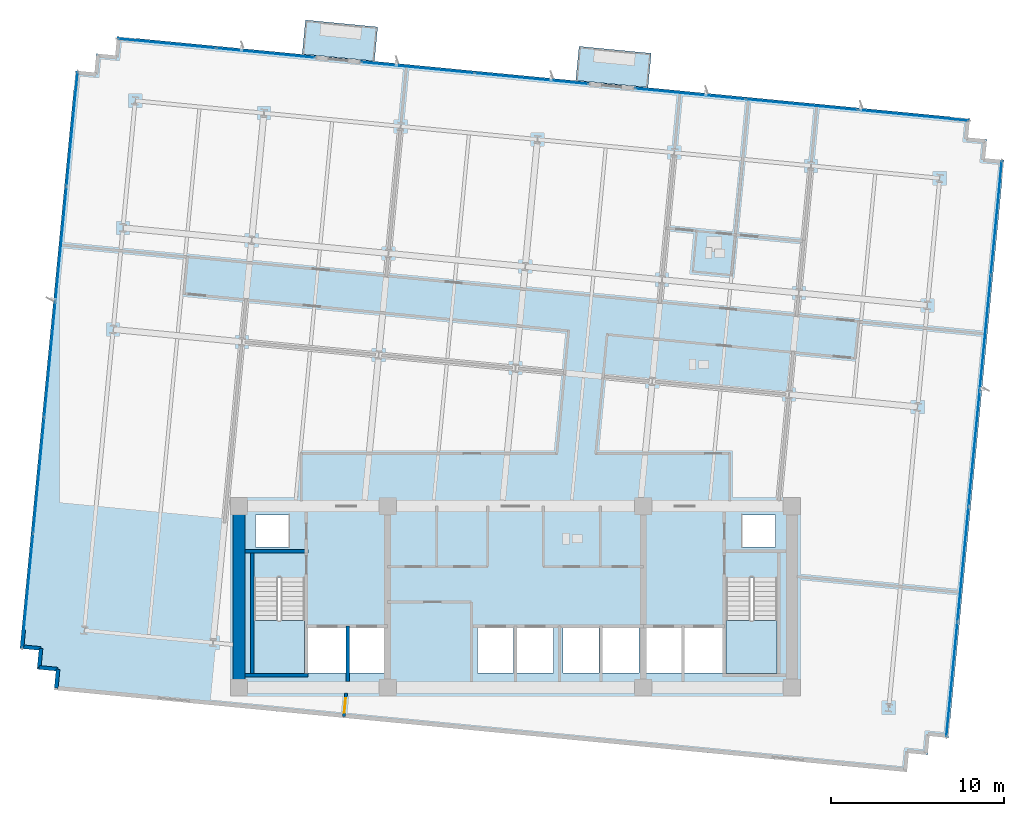
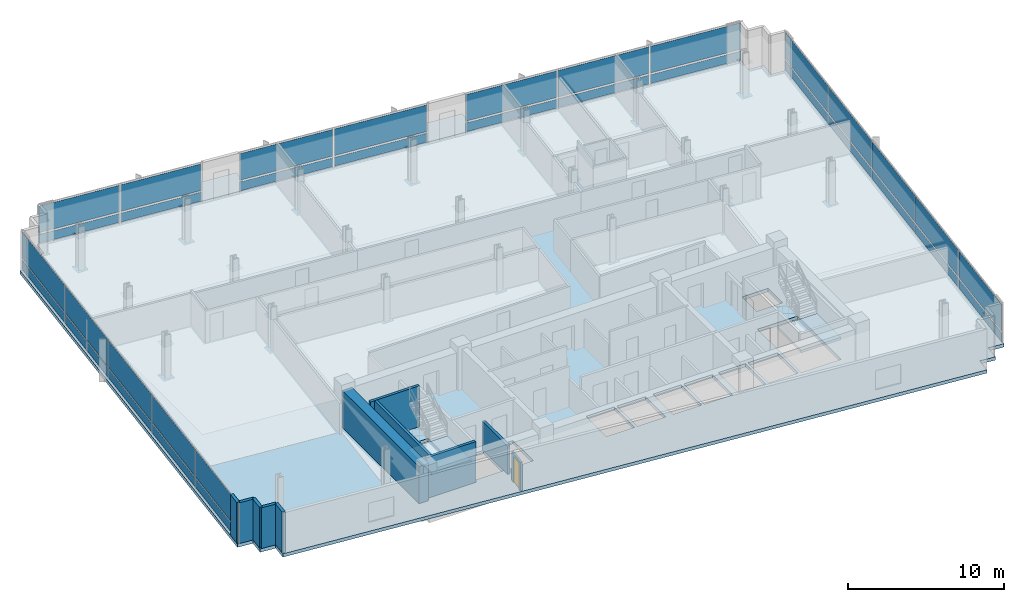
# One storey, part 9 of 16: 34 plates, 11 walls, 5 slabs, 1 door, 1 opening, 7 elements without a shape of their own.
"""IFC4 building model written with IfcOpenShell, lengths in metres."""

from ifc_helpers import new_model, si_unit, direction, frame, frame_2d, origin, origin_2d, place, context, subcontext, project, spatial, polyline, rectangle, outline, extrude, material, layer, layer_set, type_object, element, fill, aggregate, save


model = new_model("IFC4")

# Units and contexts
model_context = context("Model", 3, precision=1e-05, world=origin(), true_north=direction((0.0, 1.0)))
body_context = subcontext(model_context, "Body", "Model", "MODEL_VIEW")
ifc_project = project(units=[si_unit("LENGTHUNIT", "METRE"), si_unit("AREAUNIT", "SQUARE_METRE"), si_unit("VOLUMEUNIT", "CUBIC_METRE"), si_unit("PLANEANGLEUNIT", "RADIAN"), si_unit("MASSUNIT", "GRAM", prefix="KILO")], contexts=[model_context])

# Site, building, storey
site_placement = place(None, origin())
site = spatial("IfcSite", under=ifc_project, at=site_placement, CompositionType="ELEMENT")
building_placement = place(site_placement, origin())
building = spatial("IfcBuilding", under=site, at=building_placement, Name="Solmavex Isthmus Hotel", CompositionType="ELEMENT")
storey_placement = place(building_placement, frame((0.0, 0.0, 166.949951171875)))
storey = spatial("IfcBuildingStorey", under=building, at=storey_placement, Name="L45", CompositionType="ELEMENT", Elevation=166.949951171875)

# Curtain wall, plates
ifc_material_1 = material(Name="Aluminium alloy 6063-T6", Category="aluminium")
curtain_wall_type = type_object("IfcCurtainWallType", Name="CW-SYS-03", PredefinedType="NOTDEFINED", material=ifc_material_1)
curtain_wall_1_placement = place(storey_placement, origin())
curtain_wall_1 = element("IfcCurtainWall", 1, at=curtain_wall_1_placement, inside=storey, type_object=curtain_wall_type, Name="Stick Curtain Wall CWL-L45-N1", PredefinedType="NOTDEFINED")
ifc_material_2 = material(Name="Clear low-E laminated glass", Category="glass")
ifc_layer_1 = layer(ifc_material_2, 0.030029296875)
ifc_layer_set_1 = layer_set([ifc_layer_1], Name="Clear low-E laminated glass")
plate_type = type_object("IfcPlateType", Name="CW-SYS-03-PNL", PredefinedType="CURTAIN_PANEL", material=ifc_layer_set_1)
plate_1_placement = place(storey_placement, frame((-20.1806640625, 24.291259765625, 0.14013671875), z_axis=(0.0, 0.0, 1.0), x_axis=(0.995396220659, -0.095845521008, 0.0)))
plate_1 = element("IfcPlate", 2, at=plate_1_placement, type_object=plate_type, Name="CW-03 panel 1.1", PredefinedType="CURTAIN_PANEL", context=body_context, shape_type="SweptSolid", body=[
    extrude(rectangle(XDim=5.677978515625, YDim=0.030029296875, at=origin_2d()), origin(), (0.0, 0.0, 1.0), 0.68994140625),
])
plate_2_placement = place(storey_placement, frame((-20.1806640625, 24.291259765625, 0.969970703125), z_axis=(0.0, 0.0, 1.0), x_axis=(0.995396220659, -0.095845521008, 0.0)))
plate_2 = element("IfcPlate", 3, at=plate_2_placement, type_object=plate_type, Name="CW-03 panel 1.2", PredefinedType="CURTAIN_PANEL", context=body_context, shape_type="SweptSolid", body=[
    extrude(rectangle(XDim=5.677978515625, YDim=0.030029296875, at=origin_2d()), origin(), (0.0, 0.0, 1.0), 2.080078125),
])
plate_3_placement = place(storey_placement, frame((-14.459228515625, 23.740234375, 0.14013671875), z_axis=(0.0, 0.0, 1.0), x_axis=(0.995396220659, -0.095845521008, 0.0)))
plate_3 = element("IfcPlate", 4, at=plate_3_placement, type_object=plate_type, Name="CW-03 panel 2.1", PredefinedType="CURTAIN_PANEL", context=body_context, shape_type="SweptSolid", body=[
    extrude(rectangle(XDim=5.677978515625, YDim=0.030029296875, at=origin_2d()), origin(), (0.0, 0.0, 1.0), 0.68994140625),
])
plate_4_placement = place(storey_placement, frame((-14.459228515625, 23.740234375, 0.969970703125), z_axis=(0.0, 0.0, 1.0), x_axis=(0.995396220659, -0.095845521008, 0.0)))
plate_4 = element("IfcPlate", 5, at=plate_4_placement, type_object=plate_type, Name="CW-03 panel 2.2", PredefinedType="CURTAIN_PANEL", context=body_context, shape_type="SweptSolid", body=[
    extrude(rectangle(XDim=5.677978515625, YDim=0.030029296875, at=origin_2d()), origin(), (0.0, 0.0, 1.0), 2.080078125),
])
aggregate(curtain_wall_1, [plate_1, plate_2, plate_3, plate_4])

curtain_wall_2_placement = place(storey_placement, origin())
curtain_wall_2 = element("IfcCurtainWall", 6, at=curtain_wall_2_placement, inside=storey, type_object=curtain_wall_type, Name="Stick Curtain Wall CWL-L45-N2", PredefinedType="NOTDEFINED")
plate_5_placement = place(storey_placement, frame((-5.645263671875, 22.8916015625, 0.14013671875), z_axis=(0.0, 0.0, 1.0), x_axis=(0.995396257521, -0.095845138178, 0.0)))
plate_5 = element("IfcPlate", 7, at=plate_5_placement, type_object=plate_type, Name="CW-03 panel 1.1", PredefinedType="CURTAIN_PANEL", context=body_context, shape_type="SweptSolid", body=[
    extrude(rectangle(XDim=6.551025390625, YDim=0.030029296875, at=origin_2d()), origin(), (0.0, 0.0, 1.0), 0.68994140625),
])
plate_6_placement = place(storey_placement, frame((-5.645263671875, 22.8916015625, 0.969970703125), z_axis=(0.0, 0.0, 1.0), x_axis=(0.995396257521, -0.095845138178, 0.0)))
plate_6 = element("IfcPlate", 8, at=plate_6_placement, type_object=plate_type, Name="CW-03 panel 1.2", PredefinedType="CURTAIN_PANEL", context=body_context, shape_type="SweptSolid", body=[
    extrude(rectangle(XDim=6.551025390625, YDim=0.030029296875, at=origin_2d()), origin(), (0.0, 0.0, 1.0), 2.080078125),
])
plate_7_placement = place(storey_placement, frame((0.945068359375, 22.257080078125, 0.14013671875), z_axis=(0.0, 0.0, 1.0), x_axis=(0.995396257521, -0.095845138178, 0.0)))
plate_7 = element("IfcPlate", 9, at=plate_7_placement, type_object=plate_type, Name="CW-03 panel 2.1", PredefinedType="CURTAIN_PANEL", context=body_context, shape_type="SweptSolid", body=[
    extrude(rectangle(XDim=6.551025390625, YDim=0.030029296875, at=origin_2d()), origin(), (0.0, 0.0, 1.0), 0.68994140625),
])
plate_8_placement = place(storey_placement, frame((0.945068359375, 22.257080078125, 0.969970703125), z_axis=(0.0, 0.0, 1.0), x_axis=(0.995396257521, -0.095845138178, 0.0)))
plate_8 = element("IfcPlate", 10, at=plate_8_placement, type_object=plate_type, Name="CW-03 panel 2.2", PredefinedType="CURTAIN_PANEL", context=body_context, shape_type="SweptSolid", body=[
    extrude(rectangle(XDim=6.551025390625, YDim=0.030029296875, at=origin_2d()), origin(), (0.0, 0.0, 1.0), 2.080078125),
])
aggregate(curtain_wall_2, [plate_5, plate_6, plate_7, plate_8])

curtain_wall_3_placement = place(storey_placement, origin())
curtain_wall_3 = element("IfcCurtainWall", 11, at=curtain_wall_3_placement, inside=storey, type_object=curtain_wall_type, Name="Stick Curtain Wall CWL-L45-N3", PredefinedType="NOTDEFINED")
plate_9_placement = place(storey_placement, frame((10.119384765625, 21.373779296875, 0.14013671875), z_axis=(0.0, 0.0, 1.0), x_axis=(0.995396200025, -0.095845735304, 0.0)))
plate_9 = element("IfcPlate", 12, at=plate_9_placement, type_object=plate_type, Name="CW-03 panel 1.1", PredefinedType="CURTAIN_PANEL", context=body_context, shape_type="SweptSolid", body=[
    extrude(rectangle(XDim=6.40234375, YDim=0.030029296875, at=origin_2d()), origin(), (0.0, 0.0, 1.0), 0.68994140625),
])
plate_10_placement = place(storey_placement, frame((10.119384765625, 21.373779296875, 0.969970703125), z_axis=(0.0, 0.0, 1.0), x_axis=(0.995396200025, -0.095845735304, 0.0)))
plate_10 = element("IfcPlate", 13, at=plate_10_placement, type_object=plate_type, Name="CW-03 panel 1.2", PredefinedType="CURTAIN_PANEL", context=body_context, shape_type="SweptSolid", body=[
    extrude(rectangle(XDim=6.40234375, YDim=0.030029296875, at=origin_2d()), origin(), (0.0, 0.0, 1.0), 2.080078125),
])
plate_11_placement = place(storey_placement, frame((16.579345703125, 20.751708984375, 0.14013671875), z_axis=(0.0, 0.0, 1.0), x_axis=(0.995396200025, -0.095845735304, 0.0)))
plate_11 = element("IfcPlate", 14, at=plate_11_placement, type_object=plate_type, Name="CW-03 panel 2.1", PredefinedType="CURTAIN_PANEL", context=body_context, shape_type="SweptSolid", body=[
    extrude(rectangle(XDim=6.437255859375, YDim=0.030029296875, at=origin_2d()), origin(), (0.0, 0.0, 1.0), 0.68994140625),
])
plate_12_placement = place(storey_placement, frame((16.579345703125, 20.751708984375, 0.969970703125), z_axis=(0.0, 0.0, 1.0), x_axis=(0.995396200025, -0.095845735304, 0.0)))
plate_12 = element("IfcPlate", 15, at=plate_12_placement, type_object=plate_type, Name="CW-03 panel 2.2", PredefinedType="CURTAIN_PANEL", context=body_context, shape_type="SweptSolid", body=[
    extrude(rectangle(XDim=6.437255859375, YDim=0.030029296875, at=origin_2d()), origin(), (0.0, 0.0, 1.0), 2.080078125),
])
plate_13_placement = place(storey_placement, frame((23.039306640625, 20.129638671875, 0.14013671875), z_axis=(0.0, 0.0, 1.0), x_axis=(0.995396200025, -0.095845735304, 0.0)))
plate_13 = element("IfcPlate", 16, at=plate_13_placement, type_object=plate_type, Name="CW-03 panel 3.1", PredefinedType="CURTAIN_PANEL", context=body_context, shape_type="SweptSolid", body=[
    extrude(rectangle(XDim=6.40234375, YDim=0.030029296875, at=origin_2d()), origin(), (0.0, 0.0, 1.0), 0.68994140625),
])
plate_14_placement = place(storey_placement, frame((23.039306640625, 20.129638671875, 0.969970703125), z_axis=(0.0, 0.0, 1.0), x_axis=(0.995396200025, -0.095845735304, 0.0)))
plate_14 = element("IfcPlate", 17, at=plate_14_placement, type_object=plate_type, Name="CW-03 panel 3.2", PredefinedType="CURTAIN_PANEL", context=body_context, shape_type="SweptSolid", body=[
    extrude(rectangle(XDim=6.40234375, YDim=0.030029296875, at=origin_2d()), origin(), (0.0, 0.0, 1.0), 2.080078125),
])
aggregate(curtain_wall_3, [plate_9, plate_10, plate_11, plate_12, plate_13, plate_14])

curtain_wall_4_placement = place(storey_placement, origin())
curtain_wall_4 = element("IfcCurtainWall", 18, at=curtain_wall_4_placement, inside=storey, type_object=curtain_wall_type, Name="Stick Curtain Wall CWL-L45-W1", PredefinedType="NOTDEFINED")
plate_15_placement = place(storey_placement, frame((-28.24267578125, -7.38427734375, 0.14013671875), z_axis=(0.0, 0.0, 1.0), x_axis=(0.09584583902, 0.995396190038, 0.0)))
plate_15 = element("IfcPlate", 19, at=plate_15_placement, type_object=plate_type, Name="CW-03 panel 1.1", PredefinedType="CURTAIN_PANEL", context=body_context, shape_type="SweptSolid", body=[
    extrude(rectangle(XDim=6.614990234375, YDim=0.030029296875, at=origin_2d()), origin(), (0.0, 0.0, 1.0), 0.68994140625),
])
plate_16_placement = place(storey_placement, frame((-28.24267578125, -7.38427734375, 0.969970703125), z_axis=(0.0, 0.0, 1.0), x_axis=(0.09584583902, 0.995396190038, 0.0)))
plate_16 = element("IfcPlate", 20, at=plate_16_placement, type_object=plate_type, Name="CW-03 panel 1.2", PredefinedType="CURTAIN_PANEL", context=body_context, shape_type="SweptSolid", body=[
    extrude(rectangle(XDim=6.614990234375, YDim=0.030029296875, at=origin_2d()), origin(), (0.0, 0.0, 1.0), 2.080078125),
])
plate_17_placement = place(storey_placement, frame((-27.600341796875, -0.712646484375, 0.14013671875), z_axis=(0.0, 0.0, 1.0), x_axis=(0.09584583902, 0.995396190038, 0.0)))
plate_17 = element("IfcPlate", 21, at=plate_17_placement, type_object=plate_type, Name="CW-03 panel 2.1", PredefinedType="CURTAIN_PANEL", context=body_context, shape_type="SweptSolid", body=[
    extrude(rectangle(XDim=6.64990234375, YDim=0.030029296875, at=origin_2d()), origin(), (0.0, 0.0, 1.0), 0.68994140625),
])
plate_18_placement = place(storey_placement, frame((-27.600341796875, -0.712646484375, 0.969970703125), z_axis=(0.0, 0.0, 1.0), x_axis=(0.09584583902, 0.995396190038, 0.0)))
plate_18 = element("IfcPlate", 22, at=plate_18_placement, type_object=plate_type, Name="CW-03 panel 2.2", PredefinedType="CURTAIN_PANEL", context=body_context, shape_type="SweptSolid", body=[
    extrude(rectangle(XDim=6.64990234375, YDim=0.030029296875, at=origin_2d()), origin(), (0.0, 0.0, 1.0), 2.080078125),
])
plate_19_placement = place(storey_placement, frame((-26.956298828125, 5.976318359375, 0.14013671875), z_axis=(0.0, 0.0, 1.0), x_axis=(0.09584583902, 0.995396190038, 0.0)))
plate_19 = element("IfcPlate", 23, at=plate_19_placement, type_object=plate_type, Name="CW-03 panel 3.1", PredefinedType="CURTAIN_PANEL", context=body_context, shape_type="SweptSolid", body=[
    extrude(rectangle(XDim=6.64990234375, YDim=0.030029296875, at=origin_2d()), origin(), (0.0, 0.0, 1.0), 0.68994140625),
])
plate_20_placement = place(storey_placement, frame((-26.956298828125, 5.976318359375, 0.969970703125), z_axis=(0.0, 0.0, 1.0), x_axis=(0.09584583902, 0.995396190038, 0.0)))
plate_20 = element("IfcPlate", 24, at=plate_20_placement, type_object=plate_type, Name="CW-03 panel 3.2", PredefinedType="CURTAIN_PANEL", context=body_context, shape_type="SweptSolid", body=[
    extrude(rectangle(XDim=6.64990234375, YDim=0.030029296875, at=origin_2d()), origin(), (0.0, 0.0, 1.0), 2.080078125),
])
plate_21_placement = place(storey_placement, frame((-26.312255859375, 12.665283203125, 0.14013671875), z_axis=(0.0, 0.0, 1.0), x_axis=(0.09584583902, 0.995396190038, 0.0)))
plate_21 = element("IfcPlate", 25, at=plate_21_placement, type_object=plate_type, Name="CW-03 panel 4.1", PredefinedType="CURTAIN_PANEL", context=body_context, shape_type="SweptSolid", body=[
    extrude(rectangle(XDim=6.64990234375, YDim=0.030029296875, at=origin_2d()), origin(), (0.0, 0.0, 1.0), 0.68994140625),
])
plate_22_placement = place(storey_placement, frame((-26.312255859375, 12.665283203125, 0.969970703125), z_axis=(0.0, 0.0, 1.0), x_axis=(0.09584583902, 0.995396190038, 0.0)))
plate_22 = element("IfcPlate", 26, at=plate_22_placement, type_object=plate_type, Name="CW-03 panel 4.2", PredefinedType="CURTAIN_PANEL", context=body_context, shape_type="SweptSolid", body=[
    extrude(rectangle(XDim=6.64990234375, YDim=0.030029296875, at=origin_2d()), origin(), (0.0, 0.0, 1.0), 2.080078125),
])
plate_23_placement = place(storey_placement, frame((-25.669677734375, 19.337158203125, 0.14013671875), z_axis=(0.0, 0.0, 1.0), x_axis=(0.09584583902, 0.995396190038, 0.0)))
plate_23 = element("IfcPlate", 27, at=plate_23_placement, type_object=plate_type, Name="CW-03 panel 5.1", PredefinedType="CURTAIN_PANEL", context=body_context, shape_type="SweptSolid", body=[
    extrude(rectangle(XDim=6.614990234375, YDim=0.030029296875, at=origin_2d()), origin(), (0.0, 0.0, 1.0), 0.68994140625),
])
plate_24_placement = place(storey_placement, frame((-25.669677734375, 19.337158203125, 0.969970703125), z_axis=(0.0, 0.0, 1.0), x_axis=(0.09584583902, 0.995396190038, 0.0)))
plate_24 = element("IfcPlate", 28, at=plate_24_placement, type_object=plate_type, Name="CW-03 panel 5.2", PredefinedType="CURTAIN_PANEL", context=body_context, shape_type="SweptSolid", body=[
    extrude(rectangle(XDim=6.614990234375, YDim=0.030029296875, at=origin_2d()), origin(), (0.0, 0.0, 1.0), 2.080078125),
])
aggregate(curtain_wall_4, [plate_15, plate_16, plate_17, plate_18, plate_19, plate_20, plate_21, plate_22, plate_23, plate_24])

curtain_wall_5_placement = place(storey_placement, origin())
curtain_wall_5 = element("IfcCurtainWall", 29, at=curtain_wall_5_placement, inside=storey, type_object=curtain_wall_type, Name="Stick Curtain Wall CWL-L45-E1", PredefinedType="NOTDEFINED")
plate_25_placement = place(storey_placement, frame((25.269775390625, -12.537109375, 0.14013671875), z_axis=(0.0, 0.0, 1.0), x_axis=(0.09584583902, 0.995396190038, 0.0)))
plate_25 = element("IfcPlate", 30, at=plate_25_placement, type_object=plate_type, Name="CW-03 panel 1.1", PredefinedType="CURTAIN_PANEL", context=body_context, shape_type="SweptSolid", body=[
    extrude(rectangle(XDim=6.614990234375, YDim=0.030029296875, at=origin_2d()), origin(), (0.0, 0.0, 1.0), 0.68994140625),
])
plate_26_placement = place(storey_placement, frame((25.269775390625, -12.537109375, 0.969970703125), z_axis=(0.0, 0.0, 1.0), x_axis=(0.09584583902, 0.995396190038, 0.0)))
plate_26 = element("IfcPlate", 31, at=plate_26_placement, type_object=plate_type, Name="CW-03 panel 1.2", PredefinedType="CURTAIN_PANEL", context=body_context, shape_type="SweptSolid", body=[
    extrude(rectangle(XDim=6.614990234375, YDim=0.030029296875, at=origin_2d()), origin(), (0.0, 0.0, 1.0), 2.080078125),
])
plate_27_placement = place(storey_placement, frame((25.912109375, -5.865478515625, 0.14013671875), z_axis=(0.0, 0.0, 1.0), x_axis=(0.09584583902, 0.995396190038, 0.0)))
plate_27 = element("IfcPlate", 32, at=plate_27_placement, type_object=plate_type, Name="CW-03 panel 2.1", PredefinedType="CURTAIN_PANEL", context=body_context, shape_type="SweptSolid", body=[
    extrude(rectangle(XDim=6.64990234375, YDim=0.030029296875, at=origin_2d()), origin(), (0.0, 0.0, 1.0), 0.68994140625),
])
plate_28_placement = place(storey_placement, frame((25.912109375, -5.865478515625, 0.969970703125), z_axis=(0.0, 0.0, 1.0), x_axis=(0.09584583902, 0.995396190038, 0.0)))
plate_28 = element("IfcPlate", 33, at=plate_28_placement, type_object=plate_type, Name="CW-03 panel 2.2", PredefinedType="CURTAIN_PANEL", context=body_context, shape_type="SweptSolid", body=[
    extrude(rectangle(XDim=6.64990234375, YDim=0.030029296875, at=origin_2d()), origin(), (0.0, 0.0, 1.0), 2.080078125),
])
plate_29_placement = place(storey_placement, frame((26.55615234375, 0.82373046875, 0.14013671875), z_axis=(0.0, 0.0, 1.0), x_axis=(0.09584583902, 0.995396190038, 0.0)))
plate_29 = element("IfcPlate", 34, at=plate_29_placement, type_object=plate_type, Name="CW-03 panel 3.1", PredefinedType="CURTAIN_PANEL", context=body_context, shape_type="SweptSolid", body=[
    extrude(rectangle(XDim=6.64990234375, YDim=0.030029296875, at=origin_2d()), origin(), (0.0, 0.0, 1.0), 0.68994140625),
])
plate_30_placement = place(storey_placement, frame((26.55615234375, 0.82373046875, 0.969970703125), z_axis=(0.0, 0.0, 1.0), x_axis=(0.09584583902, 0.995396190038, 0.0)))
plate_30 = element("IfcPlate", 35, at=plate_30_placement, type_object=plate_type, Name="CW-03 panel 3.2", PredefinedType="CURTAIN_PANEL", context=body_context, shape_type="SweptSolid", body=[
    extrude(rectangle(XDim=6.64990234375, YDim=0.030029296875, at=origin_2d()), origin(), (0.0, 0.0, 1.0), 2.080078125),
])
plate_31_placement = place(storey_placement, frame((27.200439453125, 7.5126953125, 0.14013671875), z_axis=(0.0, 0.0, 1.0), x_axis=(0.09584583902, 0.995396190038, 0.0)))
plate_31 = element("IfcPlate", 36, at=plate_31_placement, type_object=plate_type, Name="CW-03 panel 4.1", PredefinedType="CURTAIN_PANEL", context=body_context, shape_type="SweptSolid", body=[
    extrude(rectangle(XDim=6.64990234375, YDim=0.030029296875, at=origin_2d()), origin(), (0.0, 0.0, 1.0), 0.68994140625),
])
plate_32_placement = place(storey_placement, frame((27.200439453125, 7.5126953125, 0.969970703125), z_axis=(0.0, 0.0, 1.0), x_axis=(0.09584583902, 0.995396190038, 0.0)))
plate_32 = element("IfcPlate", 37, at=plate_32_placement, type_object=plate_type, Name="CW-03 panel 4.2", PredefinedType="CURTAIN_PANEL", context=body_context, shape_type="SweptSolid", body=[
    extrude(rectangle(XDim=6.64990234375, YDim=0.030029296875, at=origin_2d()), origin(), (0.0, 0.0, 1.0), 2.080078125),
])
plate_33_placement = place(storey_placement, frame((27.8427734375, 14.184326171875, 0.14013671875), z_axis=(0.0, 0.0, 1.0), x_axis=(0.09584583902, 0.995396190038, 0.0)))
plate_33 = element("IfcPlate", 38, at=plate_33_placement, type_object=plate_type, Name="CW-03 panel 5.1", PredefinedType="CURTAIN_PANEL", context=body_context, shape_type="SweptSolid", body=[
    extrude(rectangle(XDim=6.614990234375, YDim=0.030029296875, at=origin_2d()), origin(), (0.0, 0.0, 1.0), 0.68994140625),
])
plate_34_placement = place(storey_placement, frame((27.8427734375, 14.184326171875, 0.969970703125), z_axis=(0.0, 0.0, 1.0), x_axis=(0.09584583902, 0.995396190038, 0.0)))
plate_34 = element("IfcPlate", 39, at=plate_34_placement, type_object=plate_type, Name="CW-03 panel 5.2", PredefinedType="CURTAIN_PANEL", context=body_context, shape_type="SweptSolid", body=[
    extrude(rectangle(XDim=6.614990234375, YDim=0.030029296875, at=origin_2d()), origin(), (0.0, 0.0, 1.0), 2.080078125),
])
aggregate(curtain_wall_5, [plate_25, plate_26, plate_27, plate_28, plate_29, plate_30, plate_31, plate_32, plate_33, plate_34])

# Slabs
ifc_material_3 = material(Name="Concrete C40/50", Category="concrete")
ifc_layer_2 = layer(ifc_material_3, 0.239990234375)
ifc_layer_set_2 = layer_set([ifc_layer_2], Name="Concrete C40/50")
slab_type_1 = type_object("IfcSlabType", Name="SLAB-BALC-240", PredefinedType="FLOOR", material=ifc_layer_set_2)
slab_1_placement = place(storey_placement, frame((0.0, 0.0, -0.239990234375)))
element("IfcSlab", 40, at=slab_1_placement, inside=storey, type_object=slab_type_1, Name="Tree-Planter Balcony Slab L45-B1", PredefinedType="FLOOR", context=body_context, shape_type="SweptSolid", body=[
    extrude(outline(polyline([(-12.346923828125, 23.672607421875), (-8.166259765625, 23.27001953125), (-7.97607421875, 25.245849609375), (-12.15673828125, 25.6484375), (-12.346923828125, 23.672607421875)])), origin(), (0.0, 0.0, 1.0), 0.239990234375),
])
slab_2_placement = place(storey_placement, frame((0.0, 0.0, -0.239990234375)))
element("IfcSlab", 41, at=slab_2_placement, inside=storey, type_object=slab_type_1, Name="Tree-Planter Balcony Slab L45-B2", PredefinedType="FLOOR", context=body_context, shape_type="SweptSolid", body=[
    extrude(outline(polyline([(3.491943359375, 22.1474609375), (7.672607421875, 21.744873046875), (7.86279296875, 23.720703125), (3.68212890625, 24.123291015625), (3.491943359375, 22.1474609375)])), origin(), (0.0, 0.0, 1.0), 0.239990234375),
])
ifc_layer_3 = layer(ifc_material_3, 0.260009765625)
ifc_layer_set_3 = layer_set([ifc_layer_3], Name="Concrete C40/50")
slab_type_2 = type_object("IfcSlabType", Name="SLAB-TYP-260", PredefinedType="FLOOR", material=ifc_layer_set_3)
slab_3_placement = place(storey_placement, frame((0.0, 0.0, -0.260009765625)))
element("IfcSlab", 42, at=slab_3_placement, inside=storey, type_object=slab_type_2, Name="Tower Structural Floor Slab L45", PredefinedType="FLOOR", context=body_context, shape_type="SweptSolid", body=[
    extrude(outline(polyline([(-25.612060546875, -13.240966796875), (21.56982421875, -17.7841796875), (22.664794921875, -17.889404296875), (22.770263671875, -16.794677734375), (23.865234375, -16.89990234375), (23.970458984375, -15.80517578125), (25.0654296875, -15.910400390625), (25.1708984375, -14.815673828125), (28.180419921875, 16.43994140625), (28.285888671875, 17.534912109375), (27.19091796875, 17.64013671875), (27.29638671875, 18.735107421875), (26.201416015625, 18.840576171875), (26.306884765625, 19.935546875), (25.2119140625, 20.041015625), (-21.9697265625, 24.583984375), (-23.064697265625, 24.689453125), (-23.170166015625, 23.594482421875), (-24.26513671875, 23.699951171875), (-24.37060546875, 22.60498046875), (-25.465576171875, 22.71044921875), (-25.57080078125, 21.615478515625), (-28.58056640625, -9.639892578125), (-28.685791015625, -10.73486328125), (-27.591064453125, -10.84033203125), (-27.6962890625, -11.935302734375), (-26.6015625, -12.04052734375), (-26.706787109375, -13.135498046875), (-25.612060546875, -13.240966796875)]), holes=[polyline([(-15.14990234375, -6.617919921875), (-15.14990234375, -12.199951171875), (-12.199951171875, -12.199951171875), (-12.199951171875, -6.617919921875), (-15.14990234375, -6.617919921875)]), polyline([(12.199951171875, -6.617919921875), (12.199951171875, -12.199951171875), (15.14990234375, -12.199951171875), (15.14990234375, -6.617919921875), (12.199951171875, -6.617919921875)]), polyline([(-12.0, -12.14990234375), (-9.800048828125, -12.14990234375), (-9.800048828125, -9.550048828125), (-12.0, -9.550048828125), (-12.0, -12.14990234375)]), polyline([(9.800048828125, -12.14990234375), (12.0, -12.14990234375), (12.0, -9.550048828125), (9.800048828125, -9.550048828125), (9.800048828125, -12.14990234375)]), polyline([(-9.60009765625, -12.14990234375), (-7.60009765625, -12.14990234375), (-7.60009765625, -9.550048828125), (-9.60009765625, -9.550048828125), (-9.60009765625, -12.14990234375)]), polyline([(7.60009765625, -12.14990234375), (9.60009765625, -12.14990234375), (9.60009765625, -9.550048828125), (7.60009765625, -9.550048828125), (7.60009765625, -12.14990234375)]), polyline([(-2.199951171875, -12.14990234375), (-0.10009765625, -12.14990234375), (-0.10009765625, -9.550048828125), (-2.199951171875, -9.550048828125), (-2.199951171875, -12.14990234375)]), polyline([(0.10009765625, -12.14990234375), (2.199951171875, -12.14990234375), (2.199951171875, -9.550048828125), (0.10009765625, -9.550048828125), (0.10009765625, -12.14990234375)]), polyline([(2.75, -12.14990234375), (4.85009765625, -12.14990234375), (4.85009765625, -9.550048828125), (2.75, -9.550048828125), (2.75, -12.14990234375)]), polyline([(5.050048828125, -12.14990234375), (7.14990234375, -12.14990234375), (7.14990234375, -9.550048828125), (5.050048828125, -9.550048828125), (5.050048828125, -12.14990234375)]), polyline([(-15.050048828125, -4.85009765625), (-13.14990234375, -4.85009765625), (-13.14990234375, -3.0), (-15.050048828125, -3.0), (-15.050048828125, -4.85009765625)]), polyline([(13.14990234375, -4.85009765625), (15.050048828125, -4.85009765625), (15.050048828125, -3.0), (13.14990234375, -3.0), (13.14990234375, -4.85009765625)])]), origin(), (0.0, 0.0, 1.0), 0.260009765625),
])

# Stair, slab
stair_type_1 = type_object("IfcStairType", Name="STR-ST-1", PredefinedType="HALF_TURN_STAIR", material=ifc_material_3)
stair_1_placement = place(storey_placement, origin())
stair_1 = element("IfcStair", 43, at=stair_1_placement, inside=storey, type_object=stair_type_1, Name="L45 Protected Exit Stair ST-1", PredefinedType="HALF_TURN_STAIR")
ifc_layer_4 = layer(ifc_material_3, 0.219970703125)
ifc_layer_set_4 = layer_set([ifc_layer_4], Name="Concrete C40/50")
slab_type_3 = type_object("IfcSlabType", Name="SLD-ST-1", PredefinedType="LANDING", material=ifc_layer_set_4)
slab_4_placement = place(storey_placement, frame((0.0, 0.0, 1.525146484375)))
slab_4 = element("IfcSlab", 44, at=slab_4_placement, type_object=slab_type_3, Name="ST-1 landing 1", PredefinedType="LANDING", context=body_context, shape_type="SweptSolid", body=[
    extrude(outline(polyline([(-15.14990234375, -9.1201171875), (-15.14990234375, -12.199951171875), (-12.199951171875, -12.199951171875), (-12.199951171875, -9.1201171875), (-15.14990234375, -9.1201171875)])), origin(), (0.0, 0.0, 1.0), 0.199951171875),
])
aggregate(stair_1, [slab_4])

stair_type_2 = type_object("IfcStairType", Name="STR-ST-2", PredefinedType="HALF_TURN_STAIR", material=ifc_material_3)
stair_2_placement = place(storey_placement, origin())
stair_2 = element("IfcStair", 45, at=stair_2_placement, inside=storey, type_object=stair_type_2, Name="L45 Protected Exit Stair ST-2", PredefinedType="HALF_TURN_STAIR")
ifc_layer_5 = layer(ifc_material_3, 0.219970703125)
ifc_layer_set_5 = layer_set([ifc_layer_5], Name="Concrete C40/50")
slab_type_4 = type_object("IfcSlabType", Name="SLD-ST-2", PredefinedType="LANDING", material=ifc_layer_set_5)
slab_5_placement = place(storey_placement, frame((0.0, 0.0, 1.525146484375)))
slab_5 = element("IfcSlab", 46, at=slab_5_placement, type_object=slab_type_4, Name="ST-2 landing 1", PredefinedType="LANDING", context=body_context, shape_type="SweptSolid", body=[
    extrude(outline(polyline([(12.199951171875, -9.1201171875), (12.199951171875, -12.199951171875), (15.14990234375, -12.199951171875), (15.14990234375, -9.1201171875), (12.199951171875, -9.1201171875)])), origin(), (0.0, 0.0, 1.0), 0.199951171875),
])
aggregate(stair_2, [slab_5])

# Walls
ifc_material_4 = material(Name="Precast Concrete C40/50", Category="concrete")
ifc_layer_6 = layer(ifc_material_4, 0.25)
ifc_layer_set_6 = layer_set([ifc_layer_6], Name="Precast Concrete C40/50")
wall_type_1 = type_object("IfcWallType", Name="EW-TWR-250", PredefinedType="STANDARD", material=ifc_layer_set_6)
for number, where, z_axis, x_axis, name in (
    (47, (-26.5869140625, -13.03662109375, 0.0), (0.0, 0.0, 1.0), (0.095877334176, 0.995393156894, 0.0), "Serrated Corner Facade Panel L45-01"),
    (48, (-26.4814453125, -11.941650390625, 0.0), (0.0, 0.0, 1.0), (-0.995393156894, 0.095877334176, 0.0), "Serrated Corner Facade Panel L45-02"),
    (49, (-27.576416015625, -11.836181640625, 0.0), (0.0, 0.0, 1.0), (0.095877334176, 0.995393156894, 0.0), "Serrated Corner Facade Panel L45-03"),
    (50, (-27.470947265625, -10.7412109375, 0.0), (0.0, 0.0, 1.0), (-0.995414313875, 0.095657429048, 0.0), "Serrated Corner Facade Panel L45-04"),
):
    element("IfcWall", number, at=place(storey_placement, frame(where, z_axis=z_axis, x_axis=x_axis)), inside=storey, type_object=wall_type_1, Name=name, PredefinedType="STANDARD", context=body_context, shape_type="SweptSolid", body=[
        extrude(rectangle(XDim=1.10009765625, YDim=0.219970703125, at=frame_2d((0.550048828125, 0.0))), origin(), (0.0, 0.0, 1.0), 3.18994140625),
    ])
wall_1_placement = place(storey_placement, frame((-28.56591796875, -10.635986328125, 0.0), z_axis=(0.0, 0.0, 1.0), x_axis=(0.095914428506, 0.995389583231, 0.0)))
element("IfcWall", 51, at=wall_1_placement, inside=storey, type_object=wall_type_1, Name="Serrated Corner Facade Panel L45-05", PredefinedType="STANDARD", context=body_context, shape_type="SweptSolid", body=[
    extrude(rectangle(XDim=0.990234375, YDim=0.219970703125, at=frame_2d((0.4951171875, 0.0))), origin(), (0.0, 0.0, 1.0), 3.18994140625),
])

# Wall, opening, door
ifc_material_5 = material(Name="Gypsum plasterboard lining", Category="gypsum")
ifc_layer_7 = layer(ifc_material_5, 0.159912109375)
ifc_layer_set_7 = layer_set([ifc_layer_7], Name="Gypsum plasterboard lining")
wall_type_2 = type_object("IfcWallType", Name="IW-COMP-160", PredefinedType="PARTITIONING", material=ifc_layer_set_7)
wall_2_placement = place(storey_placement, frame((-9.8017578125, -13.31005859375, 0.0), z_axis=(0.0, 0.0, 1.0), x_axis=(-0.095930256126, -0.995388057975, 0.0)))
wall_2 = element("IfcWall", 52, at=wall_2_placement, inside=storey, type_object=wall_type_2, Name="Interior Partition Wall W-L45-P048", PredefinedType="PARTITIONING", context=body_context, shape_type="SweptSolid", body=[
    extrude(rectangle(XDim=1.36669921875, YDim=0.159912109375, at=frame_2d((0.683349609375, 0.0))), origin(), (0.0, 0.0, 1.0), 2.22509765625),
])
opening_placement = place(wall_2_placement, frame((0.306396484375, 0.0, 0.0)))
opening = element("IfcOpeningElement", 53, at=opening_placement, cuts=wall_2, Name="Opening ID-R085", PredefinedType="OPENING", context=body_context, shape_type="SweptSolid", body=[
    extrude(rectangle(XDim=0.85009765625, YDim=2.050048828125, at=frame_2d((0.425048828125, 1.02490234375))), frame((0.0, 0.08984375, 0.0), z_axis=(0.0, -1.0, 0.0), x_axis=(1.0, 0.0, 0.0)), (0.0, 0.0, 1.0), 0.179931640625),
])
ifc_material_6 = material(Name="Steel ASTM A500 Grade C", Category="steel")
door_type = type_object("IfcDoorType", Name="IDR-FD60-0850", OperationType="NOTDEFINED", PredefinedType="DOOR", material=ifc_material_6)
door_placement = place(opening_placement, frame((0.85009765625, 0.0, 0.0), z_axis=(0.0, 0.0, 1.0), x_axis=(-1.0, 0.0, 0.0)))
door = element("IfcDoor", 54, at=door_placement, inside=storey, type_object=door_type, Name="Corporate Briefing Office Door L45-14", OperationType="SINGLE_SWING_RIGHT", OverallHeight=2.050048828125, OverallWidth=0.85009765625, PredefinedType="DOOR", context=body_context, shape_type="SweptSolid", body=[
    extrude(rectangle(XDim=0.85009765625, YDim=2.050048828125, at=frame_2d((0.425048828125, 1.02490234375))), frame((0.0, 0.02490234375, 0.0), z_axis=(0.0, -1.0, 0.0), x_axis=(1.0, 0.0, 0.0)), (0.0, 0.0, 1.0), 0.050048828125),
])
fill(opening, door)

# Walls
ifc_layer_8 = layer(ifc_material_3, 0.199951171875)
ifc_layer_set_8 = layer_set([ifc_layer_8], Name="Concrete C40/50")
wall_type_3 = type_object("IfcWallType", Name="IW-SHAFT-200", PredefinedType="PARTITIONING", material=ifc_layer_set_8)
wall_3_placement = place(storey_placement, frame((-9.699951171875, -12.64990234375, 0.0), z_axis=(0.0, 0.0, 1.0), x_axis=(0.0, 1.0, 0.0)))
element("IfcWall", 55, at=wall_3_placement, inside=storey, type_object=wall_type_3, Name="Interior Partition Wall W-L45-FFLW-M", PredefinedType="PARTITIONING", context=body_context, shape_type="SweptSolid", body=[
    extrude(rectangle(XDim=3.199951171875, YDim=0.199951171875, at=frame_2d((1.60009765625, 0.0))), origin(), (0.0, 0.0, 1.0), 2.22509765625),
])
ifc_material_7 = material(Name="Concrete C60/75", Category="concrete")
ifc_layer_9 = layer(ifc_material_7, 0.699951171875)
ifc_layer_set_9 = layer_set([ifc_layer_9], Name="Concrete C60/75")
wall_type_4 = type_object("IfcWallType", Name="WALL-CW-700", PredefinedType="SHEAR", material=ifc_layer_set_9)
wall_4_placement = place(storey_placement, frame((-16.0, -12.64990234375, 0.0), z_axis=(0.0, 0.0, 1.0), x_axis=(0.0, 1.0, 0.0)))
element("IfcWall", 56, at=wall_4_placement, inside=storey, type_object=wall_type_4, Name="Core Shear Wall West L45", PredefinedType="SHEAR", context=body_context, shape_type="SweptSolid", body=[
    extrude(rectangle(XDim=9.7998046875, YDim=0.699951171875, at=frame_2d((4.89990234375, 0.0))), origin(), (0.0, 0.0, 1.0), 2.91015625),
])
ifc_layer_10 = layer(ifc_material_3, 0.199951171875)
ifc_layer_set_10 = layer_set([ifc_layer_10], Name="Concrete C40/50")
wall_type_5 = type_object("IfcWallType", Name="WALL-SW-200", PredefinedType="SOLIDWALL", material=ifc_layer_set_10)
for number, where, z_axis, x_axis, name in (
    (57, (-15.64990234375, -12.300048828125, 0.0), (0.0, 0.0, 1.0), (1.0, 0.0, 0.0), "Stairwell Structural Wall SW-L45-ST1-S"),
    (58, (-15.64990234375, -5.10009765625, 0.0), (0.0, 0.0, 1.0), (1.0, 0.0, 0.0), "Stairwell Structural Wall SW-L45-ST1-N"),
):
    element("IfcWall", number, at=place(storey_placement, frame(where, z_axis=z_axis, x_axis=x_axis)), inside=storey, type_object=wall_type_5, Name=name, PredefinedType="SOLIDWALL", context=body_context, shape_type="SweptSolid", body=[
        extrude(rectangle(XDim=3.64990234375, YDim=0.199951171875, at=frame_2d((1.824951171875, 0.0))), origin(), (0.0, 0.0, 1.0), 3.18994140625),
    ])
wall_5_placement = place(storey_placement, frame((-15.25, -12.199951171875, 0.0), z_axis=(0.0, 0.0, 1.0), x_axis=(0.0, 1.0, 0.0)))
element("IfcWall", 59, at=wall_5_placement, inside=storey, type_object=wall_type_5, Name="Stairwell Structural Wall SW-L45-ST1-W", PredefinedType="SOLIDWALL", context=body_context, shape_type="SweptSolid", body=[
    extrude(rectangle(XDim=7.0, YDim=0.199951171875, at=frame_2d((3.5, 0.0))), origin(), (0.0, 0.0, 1.0), 3.18994140625),
])

save(model, "model.ifc")
